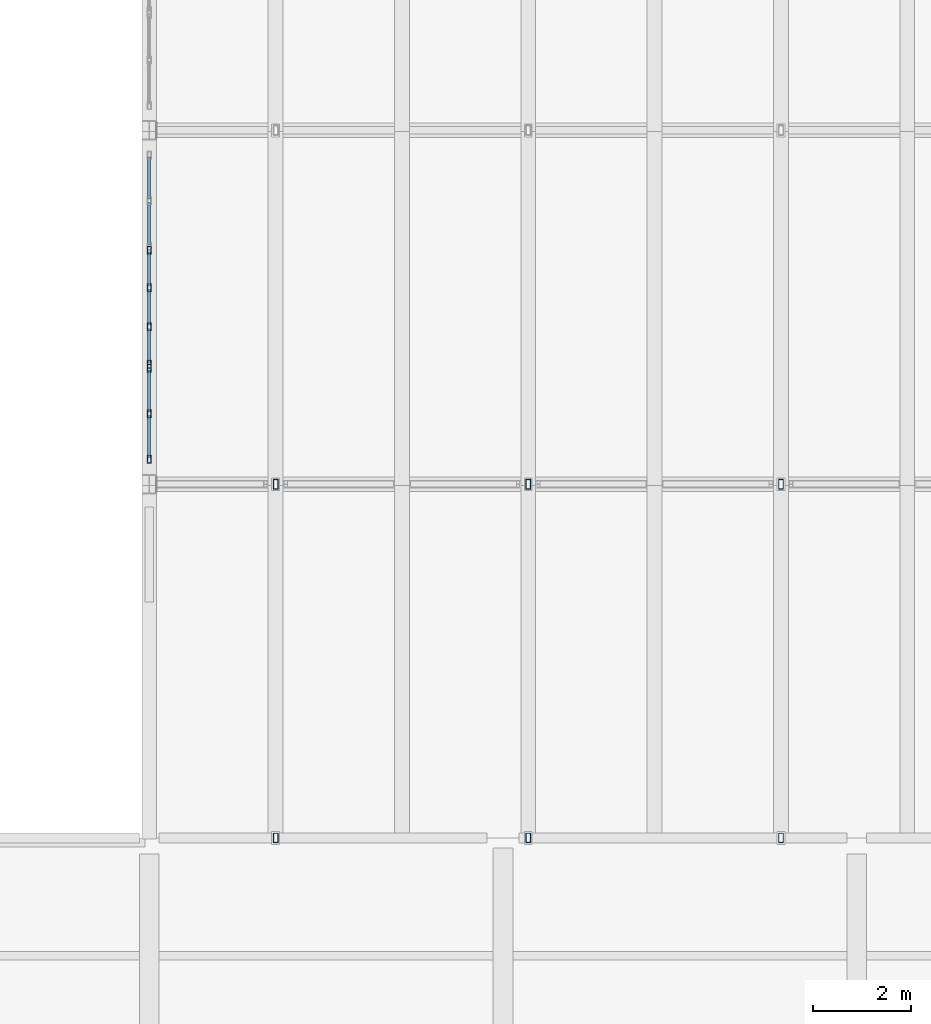
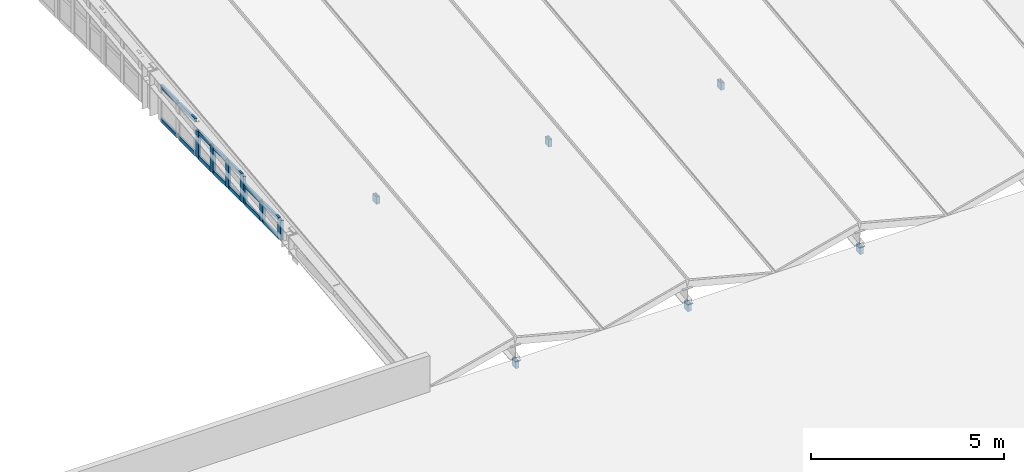
# One storey, part 21 of 48: 27 members, 3 elements without a shape of their own.
"""IFC4 building model written with IfcOpenShell, lengths in metres."""

from ifc_helpers import new_model, si_unit, direction, frame, origin, origin_2d, place, context, subcontext, project, spatial, hollow_rectangle, extrude, material, layer, layer_set, material_profile, profile_set, type_object, element, aggregate, save


model = new_model("IFC4")

# Units and contexts
model_context = context("Model", 3, precision=1e-05, world=origin(), true_north=direction((0.0, 1.0)))
body_context = subcontext(model_context, "Body", "Model", "MODEL_VIEW")
ifc_project = project(units=[si_unit("LENGTHUNIT", "METRE"), si_unit("AREAUNIT", "SQUARE_METRE"), si_unit("VOLUMEUNIT", "CUBIC_METRE"), si_unit("PLANEANGLEUNIT", "RADIAN"), si_unit("MASSUNIT", "GRAM", prefix="KILO"), si_unit("THERMODYNAMICTEMPERATUREUNIT", "KELVIN"), si_unit("POWERUNIT", "WATT")], contexts=[model_context])

# Site, building, storey
site_placement = place(None, origin())
site = spatial("IfcSite", under=ifc_project, at=site_placement, CompositionType="ELEMENT")
building_placement = place(site_placement, origin())
building = spatial("IfcBuilding", under=site, at=building_placement, Name="Kaldorven Railside Theatre", CompositionType="ELEMENT")
storey_placement = place(building_placement, frame((0.0, 0.0, 18.89990234375)))
storey = spatial("IfcBuildingStorey", under=building, at=storey_placement, Name="L04", CompositionType="ELEMENT", Elevation=18.89990234375)

# Curtain wall, members
ifc_material_1 = material(Name="Low-E laminated solar-control glass", Category="glass")
ifc_layer_1 = layer(ifc_material_1, 0.159912109375, Name="Low-E laminated solar-control glass")
ifc_layer_set_1 = layer_set([ifc_layer_1], Name="Low-E laminated solar-control glass")
curtain_wall_type_1 = type_object("IfcCurtainWallType", Name="CWT-26", PredefinedType="USERDEFINED", material=ifc_layer_set_1)
curtain_wall_1_placement = place(storey_placement, origin())
curtain_wall_1 = element("IfcCurtainWall", 1, at=curtain_wall_1_placement, inside=storey, type_object=curtain_wall_type_1, Name="Main Theatre West Eave Clerestory CWG-002", ObjectType="FLUTED GLAZING", PredefinedType="USERDEFINED")
ifc_material_2 = material(Name="Anodised bronze aluminium", Category="aluminium")
ifc_material_profile_1 = material_profile(ifc_material_2, hollow_rectangle(XDim=0.080078125, YDim=0.159912109375, WallThickness=0.00634765625, at=origin_2d()), Name="RHS 160x80x6.3")
ifc_profile_set_1 = profile_set([ifc_material_profile_1], Name="Anodised bronze aluminium")
member_type_1 = type_object("IfcMemberType", Name="CWM-160", PredefinedType="MULLION", material=ifc_profile_set_1)
member_1_placement = place(storey_placement, frame((87.199951171875, 48.5048828125, 0.02001953125), z_axis=(0.0, 0.0, 1.0), x_axis=(-1.0, 0.0, 0.0)))
member_1 = element("IfcMember", 2, at=member_1_placement, type_object=member_type_1, Name="CWG-002 mullion 1", PredefinedType="MULLION", context=body_context, shape_type="SweptSolid", body=[
    extrude(hollow_rectangle(XDim=0.080078125, YDim=0.159912109375, WallThickness=0.00634765625, at=origin_2d()), origin(), (0.0, 0.0, 1.0), 0.6201171875),
])
member_2_placement = place(storey_placement, frame((87.199951171875, 49.4326171875, 0.02001953125), z_axis=(0.0, 0.0, 1.0), x_axis=(-1.0, 0.0, 0.0)))
member_2 = element("IfcMember", 3, at=member_2_placement, type_object=member_type_1, Name="CWG-002 mullion 2", PredefinedType="MULLION", context=body_context, shape_type="SweptSolid", body=[
    extrude(hollow_rectangle(XDim=0.080078125, YDim=0.159912109375, WallThickness=0.00634765625, at=origin_2d()), origin(), (0.0, 0.0, 1.0), 0.6201171875),
])
member_3_placement = place(storey_placement, frame((87.199951171875, 50.360107421875, 0.02001953125), z_axis=(0.0, 0.0, 1.0), x_axis=(-1.0, 0.0, 0.0)))
member_3 = element("IfcMember", 4, at=member_3_placement, type_object=member_type_1, Name="CWG-002 mullion 3", PredefinedType="MULLION", context=body_context, shape_type="SweptSolid", body=[
    extrude(hollow_rectangle(XDim=0.080078125, YDim=0.159912109375, WallThickness=0.00634765625, at=origin_2d()), origin(), (0.0, 0.0, 1.0), 0.6201171875),
])

ifc_layer_2 = layer(ifc_material_1, 0.159912109375, Name="Low-E laminated solar-control glass")
ifc_layer_set_2 = layer_set([ifc_layer_2], Name="Low-E laminated solar-control glass")
curtain_wall_type_2 = type_object("IfcCurtainWallType", Name="CWT-27", PredefinedType="USERDEFINED", material=ifc_layer_set_2)
curtain_wall_2_placement = place(storey_placement, origin())
curtain_wall_2 = element("IfcCurtainWall", 5, at=curtain_wall_2_placement, inside=storey, type_object=curtain_wall_type_2, Name="Main Theatre West Eave Clerestory CWG-003", ObjectType="FLUTED GLAZING", PredefinedType="USERDEFINED")
member_4_placement = place(storey_placement, frame((87.199951171875, 50.43994140625, 0.02001953125), z_axis=(0.0, 0.0, 1.0), x_axis=(-1.0, 0.0, 0.0)))
member_4 = element("IfcMember", 6, at=member_4_placement, type_object=member_type_1, Name="CWG-003 mullion 1", PredefinedType="MULLION", context=body_context, shape_type="SweptSolid", body=[
    extrude(hollow_rectangle(XDim=0.080078125, YDim=0.159912109375, WallThickness=0.00634765625, at=origin_2d()), origin(), (0.0, 0.0, 1.0), 0.840087890625),
])
member_5_placement = place(storey_placement, frame((87.199951171875, 51.199951171875, 0.02001953125), z_axis=(0.0, 0.0, 1.0), x_axis=(-1.0, 0.0, 0.0)))
member_5 = element("IfcMember", 7, at=member_5_placement, type_object=member_type_1, Name="CWG-003 mullion 2", PredefinedType="MULLION", context=body_context, shape_type="SweptSolid", body=[
    extrude(hollow_rectangle(XDim=0.080078125, YDim=0.159912109375, WallThickness=0.00634765625, at=origin_2d()), origin(), (0.0, 0.0, 1.0), 0.840087890625),
])
member_6_placement = place(storey_placement, frame((87.199951171875, 52.0, 0.02001953125), z_axis=(0.0, 0.0, 1.0), x_axis=(-1.0, 0.0, 0.0)))
member_6 = element("IfcMember", 8, at=member_6_placement, type_object=member_type_1, Name="CWG-003 mullion 3", PredefinedType="MULLION", context=body_context, shape_type="SweptSolid", body=[
    extrude(hollow_rectangle(XDim=0.080078125, YDim=0.159912109375, WallThickness=0.00634765625, at=origin_2d()), origin(), (0.0, 0.0, 1.0), 0.840087890625),
])
member_7_placement = place(storey_placement, frame((87.199951171875, 52.760009765625, 0.02001953125), z_axis=(0.0, 0.0, 1.0), x_axis=(-1.0, 0.0, 0.0)))
member_7 = element("IfcMember", 9, at=member_7_placement, type_object=member_type_1, Name="CWG-003 mullion 4", PredefinedType="MULLION", context=body_context, shape_type="SweptSolid", body=[
    extrude(hollow_rectangle(XDim=0.080078125, YDim=0.159912109375, WallThickness=0.00634765625, at=origin_2d()), origin(), (0.0, 0.0, 1.0), 0.840087890625),
])

# Member
ifc_material_profile_2 = material_profile(ifc_material_2, hollow_rectangle(XDim=0.06005859375, YDim=0.1201171875, WallThickness=0.0048828125, at=origin_2d()), Name="RHS 120x60x5")
ifc_profile_set_2 = profile_set([ifc_material_profile_2], Name="Anodised bronze aluminium")
member_type_2 = type_object("IfcMemberType", Name="CWT-120", PredefinedType="USERDEFINED", material=ifc_profile_set_2)
member_8_placement = place(storey_placement, frame((87.199951171875, 48.544921875, 0.050048828125), z_axis=(0.0, 1.0, 0.0), x_axis=(-1.0, 0.0, 0.0)))
member_8 = element("IfcMember", 10, at=member_8_placement, type_object=member_type_2, Name="CWG-002 transom 1.1", ObjectType="TRANSOM", PredefinedType="USERDEFINED", context=body_context, shape_type="SweptSolid", body=[
    extrude(hollow_rectangle(XDim=0.06005859375, YDim=0.1201171875, WallThickness=0.0048828125, at=origin_2d()), origin(), (0.0, 0.0, 1.0), 0.84765625),
])

member_9_placement = place(storey_placement, frame((87.199951171875, 48.544921875, 0.610107421875), z_axis=(0.0, 1.0, 0.0), x_axis=(-1.0, 0.0, 0.0)))
member_9 = element("IfcMember", 11, at=member_9_placement, type_object=member_type_2, Name="CWG-002 transom 1.2", ObjectType="TRANSOM", PredefinedType="USERDEFINED", context=body_context, shape_type="SweptSolid", body=[
    extrude(hollow_rectangle(XDim=0.06005859375, YDim=0.1201171875, WallThickness=0.0048828125, at=origin_2d()), origin(), (0.0, 0.0, 1.0), 0.84765625),
])

member_10_placement = place(storey_placement, frame((87.199951171875, 49.472412109375, 0.050048828125), z_axis=(0.0, 1.0, 0.0), x_axis=(-1.0, 0.0, 0.0)))
member_10 = element("IfcMember", 12, at=member_10_placement, type_object=member_type_2, Name="CWG-002 transom 2.1", ObjectType="TRANSOM", PredefinedType="USERDEFINED", context=body_context, shape_type="SweptSolid", body=[
    extrude(hollow_rectangle(XDim=0.06005859375, YDim=0.1201171875, WallThickness=0.0048828125, at=origin_2d()), origin(), (0.0, 0.0, 1.0), 0.84765625),
])

member_11_placement = place(storey_placement, frame((87.199951171875, 49.472412109375, 0.610107421875), z_axis=(0.0, 1.0, 0.0), x_axis=(-1.0, 0.0, 0.0)))
member_11 = element("IfcMember", 13, at=member_11_placement, type_object=member_type_2, Name="CWG-002 transom 2.2", ObjectType="TRANSOM", PredefinedType="USERDEFINED", context=body_context, shape_type="SweptSolid", body=[
    extrude(hollow_rectangle(XDim=0.06005859375, YDim=0.1201171875, WallThickness=0.0048828125, at=origin_2d()), origin(), (0.0, 0.0, 1.0), 0.84765625),
])

aggregate(curtain_wall_1, [member_1, member_2, member_3, member_8, member_9, member_10, member_11])

member_12_placement = place(storey_placement, frame((87.199951171875, 50.47998046875, 0.050048828125), z_axis=(0.0, 1.0, 0.0), x_axis=(-1.0, 0.0, 0.0)))
member_12 = element("IfcMember", 14, at=member_12_placement, type_object=member_type_2, Name="CWG-003 transom 1.1", ObjectType="TRANSOM", PredefinedType="USERDEFINED", context=body_context, shape_type="SweptSolid", body=[
    extrude(hollow_rectangle(XDim=0.06005859375, YDim=0.1201171875, WallThickness=0.0048828125, at=origin_2d()), origin(), (0.0, 0.0, 1.0), 0.679931640625),
])

member_13_placement = place(storey_placement, frame((87.199951171875, 50.47998046875, 0.830078125), z_axis=(0.0, 1.0, 0.0), x_axis=(-1.0, 0.0, 0.0)))
member_13 = element("IfcMember", 15, at=member_13_placement, type_object=member_type_2, Name="CWG-003 transom 1.2", ObjectType="TRANSOM", PredefinedType="USERDEFINED", context=body_context, shape_type="SweptSolid", body=[
    extrude(hollow_rectangle(XDim=0.06005859375, YDim=0.1201171875, WallThickness=0.0048828125, at=origin_2d()), origin(), (0.0, 0.0, 1.0), 0.679931640625),
])

member_14_placement = place(storey_placement, frame((87.199951171875, 51.239990234375, 0.050048828125), z_axis=(0.0, 1.0, 0.0), x_axis=(-1.0, 0.0, 0.0)))
member_14 = element("IfcMember", 16, at=member_14_placement, type_object=member_type_2, Name="CWG-003 transom 2.1", ObjectType="TRANSOM", PredefinedType="USERDEFINED", context=body_context, shape_type="SweptSolid", body=[
    extrude(hollow_rectangle(XDim=0.06005859375, YDim=0.1201171875, WallThickness=0.0048828125, at=origin_2d()), origin(), (0.0, 0.0, 1.0), 0.719970703125),
])

member_15_placement = place(storey_placement, frame((87.199951171875, 51.239990234375, 0.830078125), z_axis=(0.0, 1.0, 0.0), x_axis=(-1.0, 0.0, 0.0)))
member_15 = element("IfcMember", 17, at=member_15_placement, type_object=member_type_2, Name="CWG-003 transom 2.2", ObjectType="TRANSOM", PredefinedType="USERDEFINED", context=body_context, shape_type="SweptSolid", body=[
    extrude(hollow_rectangle(XDim=0.06005859375, YDim=0.1201171875, WallThickness=0.0048828125, at=origin_2d()), origin(), (0.0, 0.0, 1.0), 0.719970703125),
])

member_16_placement = place(storey_placement, frame((87.199951171875, 52.0400390625, 0.050048828125), z_axis=(0.0, 1.0, 0.0), x_axis=(-1.0, 0.0, 0.0)))
member_16 = element("IfcMember", 18, at=member_16_placement, type_object=member_type_2, Name="CWG-003 transom 3.1", ObjectType="TRANSOM", PredefinedType="USERDEFINED", context=body_context, shape_type="SweptSolid", body=[
    extrude(hollow_rectangle(XDim=0.06005859375, YDim=0.1201171875, WallThickness=0.0048828125, at=origin_2d()), origin(), (0.0, 0.0, 1.0), 0.679931640625),
])

member_17_placement = place(storey_placement, frame((87.199951171875, 52.0400390625, 0.830078125), z_axis=(0.0, 1.0, 0.0), x_axis=(-1.0, 0.0, 0.0)))
member_17 = element("IfcMember", 19, at=member_17_placement, type_object=member_type_2, Name="CWG-003 transom 3.2", ObjectType="TRANSOM", PredefinedType="USERDEFINED", context=body_context, shape_type="SweptSolid", body=[
    extrude(hollow_rectangle(XDim=0.06005859375, YDim=0.1201171875, WallThickness=0.0048828125, at=origin_2d()), origin(), (0.0, 0.0, 1.0), 0.679931640625),
])

aggregate(curtain_wall_2, [member_4, member_5, member_6, member_7, member_12, member_13, member_14, member_15, member_16, member_17])

# Curtain wall, members
ifc_layer_3 = layer(ifc_material_1, 0.159912109375, Name="Low-E laminated solar-control glass")
ifc_layer_set_3 = layer_set([ifc_layer_3], Name="Low-E laminated solar-control glass")
curtain_wall_type_3 = type_object("IfcCurtainWallType", Name="CWT-28", PredefinedType="USERDEFINED", material=ifc_layer_set_3)
curtain_wall_3_placement = place(storey_placement, origin())
curtain_wall_3 = element("IfcCurtainWall", 20, at=curtain_wall_3_placement, inside=storey, type_object=curtain_wall_type_3, Name="Main Theatre West Eave Clerestory CWG-004", ObjectType="FLUTED GLAZING", PredefinedType="USERDEFINED")
member_18_placement = place(storey_placement, frame((87.199951171875, 52.8798828125, 0.050048828125), z_axis=(0.0, 1.0, 0.0), x_axis=(-1.0, 0.0, 0.0)))
member_18 = element("IfcMember", 21, at=member_18_placement, type_object=member_type_2, Name="CWG-004 transom 1.1", ObjectType="TRANSOM", PredefinedType="USERDEFINED", context=body_context, shape_type="SweptSolid", body=[
    extrude(hollow_rectangle(XDim=0.06005859375, YDim=0.1201171875, WallThickness=0.0048828125, at=origin_2d()), origin(), (0.0, 0.0, 1.0), 0.84765625),
])
member_19_placement = place(storey_placement, frame((87.199951171875, 52.8798828125, 1.110107421875), z_axis=(0.0, 1.0, 0.0), x_axis=(-1.0, 0.0, 0.0)))
member_19 = element("IfcMember", 22, at=member_19_placement, type_object=member_type_2, Name="CWG-004 transom 1.2", ObjectType="TRANSOM", PredefinedType="USERDEFINED", context=body_context, shape_type="SweptSolid", body=[
    extrude(hollow_rectangle(XDim=0.06005859375, YDim=0.1201171875, WallThickness=0.0048828125, at=origin_2d()), origin(), (0.0, 0.0, 1.0), 0.84765625),
])
member_20_placement = place(storey_placement, frame((87.199951171875, 53.8076171875, 0.050048828125), z_axis=(0.0, 1.0, 0.0), x_axis=(-1.0, 0.0, 0.0)))
member_20 = element("IfcMember", 23, at=member_20_placement, type_object=member_type_2, Name="CWG-004 transom 2.1", ObjectType="TRANSOM", PredefinedType="USERDEFINED", context=body_context, shape_type="SweptSolid", body=[
    extrude(hollow_rectangle(XDim=0.06005859375, YDim=0.1201171875, WallThickness=0.0048828125, at=origin_2d()), origin(), (0.0, 0.0, 1.0), 0.847412109375),
])
member_21_placement = place(storey_placement, frame((87.199951171875, 53.8076171875, 1.110107421875), z_axis=(0.0, 1.0, 0.0), x_axis=(-1.0, 0.0, 0.0)))
member_21 = element("IfcMember", 24, at=member_21_placement, type_object=member_type_2, Name="CWG-004 transom 2.2", ObjectType="TRANSOM", PredefinedType="USERDEFINED", context=body_context, shape_type="SweptSolid", body=[
    extrude(hollow_rectangle(XDim=0.06005859375, YDim=0.1201171875, WallThickness=0.0048828125, at=origin_2d()), origin(), (0.0, 0.0, 1.0), 0.847412109375),
])
aggregate(curtain_wall_3, [member_18, member_19, member_20, member_21])

# Members
ifc_material_3 = material(Name="Steel S355", Category="steel")
ifc_material_profile_3 = material_profile(ifc_material_3, hollow_rectangle(XDim=0.10009765625, YDim=0.199951171875, WallThickness=0.008056640625, at=origin_2d()), Name="RHS 200x100x8")
ifc_profile_set_3 = profile_set([ifc_material_profile_3], Name="Steel S355")
member_type_3 = type_object("IfcMemberType", Name="MEM-RHS200", PredefinedType="STRUT", material=ifc_profile_set_3)
for number, where, z_axis, x_axis, name in (
    (25, (89.771484375, 40.800048828125, -0.239990234375), (0.0, 0.0, 1.0), (1.0, 0.0, 0.0), "V1 S Gable Roof Bearing Post"),
    (26, (94.914306640625, 40.800048828125, -0.239990234375), (0.0, 0.0, 1.0), (1.0, 0.0, 0.0), "V1 S Gable Roof Bearing Post"),
    (27, (100.05712890625, 40.800048828125, -0.239990234375), (0.0, 0.0, 1.0), (1.0, 0.0, 0.0), "V1 S Gable Roof Bearing Post"),
):
    element("IfcMember", number, at=place(storey_placement, frame(where, z_axis=z_axis, x_axis=x_axis)), inside=storey, type_object=member_type_3, Name=name, PredefinedType="STRUT", context=body_context, shape_type="SweptSolid", body=[
        extrude(hollow_rectangle(XDim=0.10009765625, YDim=0.199951171875, WallThickness=0.008056640625, at=origin_2d()), origin(), (0.0, 0.0, 1.0), 0.241455078125),
    ])
for number, where, z_axis, x_axis, name in (
    (28, (89.771484375, 48.0, 0.583740234375), (0.0, 0.0, 1.0), (1.0, 0.0, 0.0), "V1 Folded-Roof King-Post Strut STR-006"),
    (29, (94.914306640625, 48.0, 0.583740234375), (0.0, 0.0, 1.0), (1.0, 0.0, 0.0), "V1 Folded-Roof King-Post Strut STR-011"),
    (30, (100.05712890625, 48.0, 0.583740234375), (0.0, 0.0, 1.0), (1.0, 0.0, 0.0), "V1 Folded-Roof King-Post Strut STR-016"),
):
    element("IfcMember", number, at=place(storey_placement, frame(where, z_axis=z_axis, x_axis=x_axis)), inside=storey, type_object=member_type_3, Name=name, PredefinedType="STRUT", context=body_context, shape_type="SweptSolid", body=[
        extrude(hollow_rectangle(XDim=0.10009765625, YDim=0.199951171875, WallThickness=0.008056640625, at=origin_2d()), origin(), (0.0, 0.0, 1.0), 0.235595703125),
    ])

save(model, "model.ifc")
